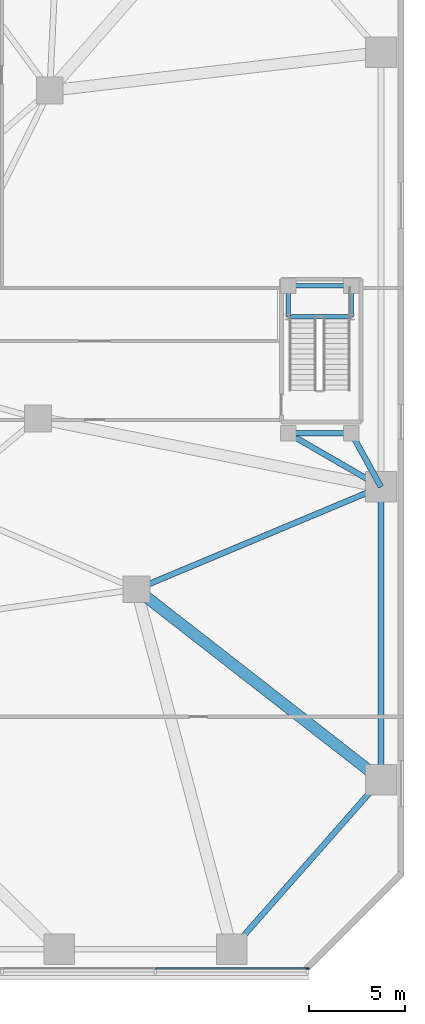
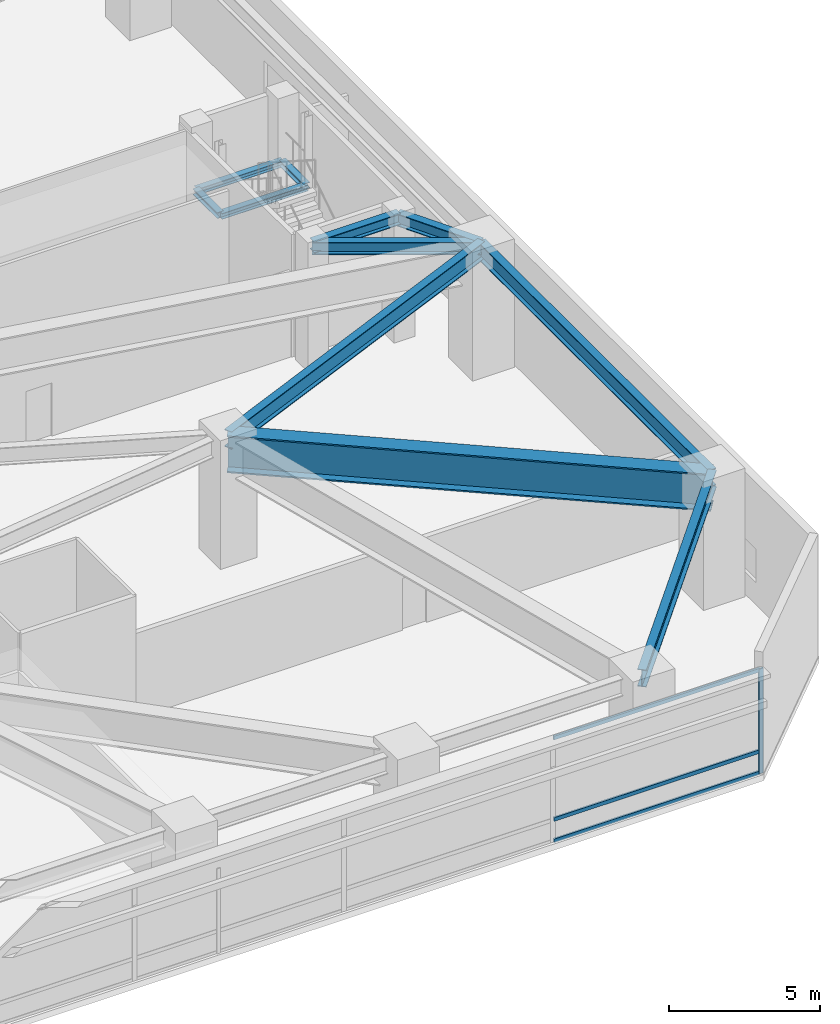
# One storey, part 12 of 27: 11 beams, 4 members, 1 element without a shape of its own.
"""IFC4 building model written with IfcOpenShell, lengths in metres."""

from ifc_helpers import new_model, si_unit, direction, frame, origin, origin_2d, place, context, subcontext, project, spatial, rectangle, i_section, extrude, material, layer, layer_set, material_profile, profile_set, type_object, element, aggregate, save


model = new_model("IFC4")

# Units and contexts
model_context = context("Model", 3, precision=1e-05, world=origin(), true_north=direction((0.0, 1.0)))
body_context = subcontext(model_context, "Body", "Model", "MODEL_VIEW")
ifc_project = project(units=[si_unit("LENGTHUNIT", "METRE"), si_unit("AREAUNIT", "SQUARE_METRE"), si_unit("VOLUMEUNIT", "CUBIC_METRE"), si_unit("PLANEANGLEUNIT", "RADIAN"), si_unit("MASSUNIT", "GRAM", prefix="KILO")], contexts=[model_context])

# Site, building, storey
site_placement = place(None, origin())
site = spatial("IfcSite", under=ifc_project, at=site_placement, CompositionType="ELEMENT")
building_placement = place(site_placement, origin())
building = spatial("IfcBuilding", under=site, at=building_placement, Name="Terralouvre Media Tower", CompositionType="ELEMENT")
storey_placement = place(building_placement, frame((0.0, 0.0, 5.199951171875)))
storey = spatial("IfcBuildingStorey", under=building, at=storey_placement, Name="L01", CompositionType="ELEMENT", Elevation=5.199951171875)

# Curtain wall, members
ifc_material_1 = material(Name="Low-iron laminated double glazing with solar-control coating", Category="glass")
ifc_layer = layer(ifc_material_1, 0.1650390625, Name="Podium Broadcast Gallery Glazing CW-01")
ifc_layer_set = layer_set([ifc_layer], Name="Low-iron laminated double glazing with solar-control coating")
curtain_wall_type = type_object("IfcCurtainWallType", Name="Podium Broadcast Gallery Glazing CW-01", PredefinedType="NOTDEFINED", material=ifc_layer_set)
curtain_wall_placement = place(storey_placement, origin())
curtain_wall = element("IfcCurtainWall", 1, at=curtain_wall_placement, inside=storey, type_object=curtain_wall_type, Name="L01 Podium Curtain Wall F0", PredefinedType="NOTDEFINED")
ifc_material_2 = material(Name="Anodised extruded aluminium 6063-T6", Category="aluminium")
ifc_material_profile_1 = material_profile(ifc_material_2, rectangle(XDim=0.074951171875, YDim=0.14990234375, at=origin_2d()), Name="ALU 75x150")
ifc_profile_set_1 = profile_set([ifc_material_profile_1], Name="Anodised extruded aluminium 6063-T6")
member_type_1 = type_object("IfcMemberType", Name="Curtain-Wall Horizontal Transom TR-150", PredefinedType="USERDEFINED", material=ifc_profile_set_1)
member_1_placement = place(storey_placement, frame((24.03759765625, -24.360107421875, 0.03759765625), z_axis=(1.0, 0.0, 0.0), x_axis=(0.0, 1.0, 0.0)))
member_1 = element("IfcMember", 2, at=member_1_placement, type_object=member_type_1, Name="CW-01 transom 8.1", ObjectType="TRANSOM", PredefinedType="USERDEFINED", context=body_context, shape_type="SweptSolid", body=[
    extrude(rectangle(XDim=0.074951171875, YDim=0.14990234375, at=origin_2d()), origin(), (0.0, 0.0, 1.0), 7.887451171875),
])
member_2_placement = place(storey_placement, frame((24.03759765625, -24.360107421875, 0.900146484375), z_axis=(1.0, 0.0, 0.0), x_axis=(0.0, 1.0, 0.0)))
member_2 = element("IfcMember", 3, at=member_2_placement, type_object=member_type_1, Name="CW-01 transom 8.2", ObjectType="TRANSOM", PredefinedType="USERDEFINED", context=body_context, shape_type="SweptSolid", body=[
    extrude(rectangle(XDim=0.074951171875, YDim=0.14990234375, at=origin_2d()), origin(), (0.0, 0.0, 1.0), 7.887451171875),
])
member_3_placement = place(storey_placement, frame((24.03759765625, -24.360107421875, 4.192626953125), z_axis=(1.0, 0.0, 0.0), x_axis=(0.0, 1.0, 0.0)))
member_3 = element("IfcMember", 4, at=member_3_placement, type_object=member_type_1, Name="CW-01 transom 8.3", ObjectType="TRANSOM", PredefinedType="USERDEFINED", context=body_context, shape_type="SweptSolid", body=[
    extrude(rectangle(XDim=0.074951171875, YDim=0.14990234375, at=origin_2d()), origin(), (0.0, 0.0, 1.0), 7.887451171875),
])
ifc_material_3 = material(Name="Anodised extruded aluminium 6063-T6", Category="aluminium")
ifc_material_profile_2 = material_profile(ifc_material_3, rectangle(XDim=0.074951171875, YDim=0.179931640625, at=origin_2d()), Name="ALU 75x180")
ifc_profile_set_2 = profile_set([ifc_material_profile_2], Name="Anodised extruded aluminium 6063-T6")
member_type_2 = type_object("IfcMemberType", Name="Curtain-Wall Vertical Mullion ML-180", PredefinedType="MULLION", material=ifc_profile_set_2)
member_4_placement = place(storey_placement, frame((31.96240234375, -24.360107421875, 0.0), z_axis=(0.0, 0.0, 1.0), x_axis=(0.0, 1.0, 0.0)))
member_4 = element("IfcMember", 5, at=member_4_placement, type_object=member_type_2, Name="CW-01 mullion 9", PredefinedType="MULLION", context=body_context, shape_type="SweptSolid", body=[
    extrude(rectangle(XDim=0.074951171875, YDim=0.179931640625, at=origin_2d()), origin(), (0.0, 0.0, 1.0), 4.22998046875),
])
aggregate(curtain_wall, [member_4, member_1, member_2, member_3])

# Beams
ifc_material_4 = material(Name="Structural steel S355J2", Category="steel")
ifc_material_profile_3 = material_profile(ifc_material_4, i_section(OverallWidth=0.239990234375, OverallDepth=0.239990234375, WebThickness=0.010009765625, FlangeThickness=0.01708984375, at=origin_2d()), Name="HEB 240")
ifc_profile_set_3 = profile_set([ifc_material_profile_3], Name="Structural steel S355J2")
beam_type_1 = type_object("IfcBeamType", Name="Opening Lintel Beam LN-240H (HEB 240)", PredefinedType="LINTEL", material=ifc_profile_set_3)
for number, where, z_axis, x_axis, name in (
    (6, (30.949951171875, 9.679931640625, 2.280029296875), (0.0, 1.0, 0.0), (-1.0, 0.0, 0.0), "L01 ST-04 Intermediate Landing Support Beam 1W"),
    (7, (34.25, 9.679931640625, 2.280029296875), (0.0, 1.0, 0.0), (-1.0, 0.0, 0.0), "L01 ST-04 Intermediate Landing Support Beam 1E"),
):
    element("IfcBeam", number, at=place(storey_placement, frame(where, z_axis=z_axis, x_axis=x_axis)), inside=storey, type_object=beam_type_1, Name=name, PredefinedType="LINTEL", context=body_context, shape_type="SweptSolid", body=[
        extrude(i_section(OverallWidth=0.239990234375, OverallDepth=0.239990234375, WebThickness=0.010009765625, FlangeThickness=0.01708984375, at=origin_2d()), origin(), (0.0, 0.0, 1.0), 1.6201171875),
    ])
for number, where, z_axis, x_axis, name in (
    (8, (30.949951171875, 9.679931640625, 2.280029296875), (1.0, 0.0, 0.0), (0.0, 1.0, 0.0), "L01 ST-04 Intermediate Landing Support Beam 1S"),
    (9, (30.949951171875, 11.300048828125, 2.280029296875), (1.0, 0.0, 0.0), (0.0, 1.0, 0.0), "L01 ST-04 Intermediate Landing Support Beam 1X"),
):
    element("IfcBeam", number, at=place(storey_placement, frame(where, z_axis=z_axis, x_axis=x_axis)), inside=storey, type_object=beam_type_1, Name=name, PredefinedType="LINTEL", context=body_context, shape_type="SweptSolid", body=[
        extrude(i_section(OverallWidth=0.239990234375, OverallDepth=0.239990234375, WebThickness=0.010009765625, FlangeThickness=0.01708984375, at=origin_2d()), origin(), (0.0, 0.0, 1.0), 3.300048828125),
    ])
ifc_material_5 = material(Name="Structural steel S355J2", Category="steel")
ifc_material_profile_4 = material_profile(ifc_material_5, i_section(OverallWidth=0.300048828125, OverallDepth=0.449951171875, WebThickness=0.013916015625, FlangeThickness=0.02587890625, at=origin_2d()), Name="HEB 450")
ifc_profile_set_4 = profile_set([ifc_material_profile_4], Name="Structural steel S355J2")
beam_type_2 = type_object("IfcBeamType", Name="Primary Floor Girder B-HEB450 (HEB 450)", PredefinedType="BEAM", material=ifc_profile_set_4)
beam_1_placement = place(storey_placement, frame((30.949951171875, 3.60009765625, 4.72509765625), z_axis=(1.0, 0.0, 0.0), x_axis=(0.0, 1.0, 0.0)))
element("IfcBeam", 10, at=beam_1_placement, inside=storey, type_object=beam_type_2, Name="L01 Framing Beam BM-L01-PVST41", PredefinedType="BEAM", context=body_context, shape_type="SweptSolid", body=[
    extrude(i_section(OverallWidth=0.300048828125, OverallDepth=0.449951171875, WebThickness=0.013916015625, FlangeThickness=0.02587890625, at=origin_2d()), origin(), (0.0, 0.0, 1.0), 3.300048828125),
])
ifc_material_6 = material(Name="Structural steel S355J2", Category="steel")
ifc_material_profile_5 = material_profile(ifc_material_6, i_section(OverallWidth=0.300048828125, OverallDepth=0.5, WebThickness=0.014404296875, FlangeThickness=0.028076171875, at=origin_2d()), Name="HEB 500")
ifc_profile_set_5 = profile_set([ifc_material_profile_5], Name="Structural steel S355J2")
beam_type_3 = type_object("IfcBeamType", Name="Primary Floor Girder B-HEB500 (HEB 500)", PredefinedType="BEAM", material=ifc_profile_set_5)
beam_2_placement = place(storey_placement, frame((30.949951171875, 3.60009765625, 4.699951171875), z_axis=(0.866037493094, -0.499979060117, 0.0), x_axis=(0.499979060117, 0.866037493094, 0.0)))
element("IfcBeam", 11, at=beam_2_placement, inside=storey, type_object=beam_type_3, Name="L01 Framing Beam BM-L01-PVTST41", PredefinedType="BEAM", context=body_context, shape_type="SweptSolid", body=[
    extrude(i_section(OverallWidth=0.300048828125, OverallDepth=0.5, WebThickness=0.014404296875, FlangeThickness=0.028076171875, at=origin_2d()), origin(), (0.0, 0.0, 1.0), 5.600341796875),
])
beam_3_placement = place(storey_placement, frame((34.25, 3.60009765625, 4.699951171875), z_axis=(0.484321096397, -0.874890322032, 0.0), x_axis=(0.874890322032, 0.484321096397, 0.0)))
element("IfcBeam", 12, at=beam_3_placement, inside=storey, type_object=beam_type_3, Name="L01 Framing Beam BM-L01-PVTST42", PredefinedType="BEAM", context=body_context, shape_type="SweptSolid", body=[
    extrude(i_section(OverallWidth=0.300048828125, OverallDepth=0.5, WebThickness=0.014404296875, FlangeThickness=0.028076171875, at=origin_2d()), origin(), (0.0, 0.0, 1.0), 3.200439453125),
])
ifc_material_7 = material(Name="Structural steel S460M", Category="steel")
ifc_material_profile_6 = material_profile(ifc_material_7, i_section(OverallWidth=0.300048828125, OverallDepth=0.699951171875, WebThickness=0.01708984375, FlangeThickness=0.031982421875, at=origin_2d()), Name="HEB 700")
ifc_profile_set_6 = profile_set([ifc_material_profile_6], Name="Structural steel S460M")
beam_type_4 = type_object("IfcBeamType", Name="Primary Floor Girder B-HEB700 (HEB 700)", PredefinedType="BEAM", material=ifc_profile_set_6)
beam_4_placement = place(storey_placement, frame((23.02490234375, -4.546630859375, 4.60009765625), z_axis=(0.922468147364, 0.386073201737, 0.0), x_axis=(-0.386073201737, 0.922468147364, 0.0)))
element("IfcBeam", 13, at=beam_4_placement, inside=storey, type_object=beam_type_4, Name="L01 Framing Beam BM-L01-PM21P1", PredefinedType="BEAM", context=body_context, shape_type="SweptSolid", body=[
    extrude(i_section(OverallWidth=0.300048828125, OverallDepth=0.699951171875, WebThickness=0.01708984375, FlangeThickness=0.031982421875, at=origin_2d()), origin(), (0.0, 0.0, 1.0), 13.848876953125),
])
beam_5_placement = place(storey_placement, frame((28.0, -23.35009765625, 4.60009765625), z_axis=(0.661199207896, 0.75021037548, 0.0), x_axis=(-0.75021037548, 0.661199207896, 0.0)))
element("IfcBeam", 14, at=beam_5_placement, inside=storey, type_object=beam_type_4, Name="L01 Framing Beam BM-L01-PR07", PredefinedType="BEAM", context=body_context, shape_type="SweptSolid", body=[
    extrude(i_section(OverallWidth=0.300048828125, OverallDepth=0.699951171875, WebThickness=0.01708984375, FlangeThickness=0.031982421875, at=origin_2d()), origin(), (0.0, 0.0, 1.0), 11.796875),
])
beam_6_placement = place(storey_placement, frame((35.800048828125, -14.5, 4.60009765625), z_axis=(0.0, 1.0, 0.0), x_axis=(-1.0, 0.0, 0.0)))
element("IfcBeam", 15, at=beam_6_placement, inside=storey, type_object=beam_type_4, Name="L01 Framing Beam BM-L01-PR08", PredefinedType="BEAM", context=body_context, shape_type="SweptSolid", body=[
    extrude(i_section(OverallWidth=0.300048828125, OverallDepth=0.699951171875, WebThickness=0.01708984375, FlangeThickness=0.031982421875, at=origin_2d()), origin(), (0.0, 0.0, 1.0), 15.300048828125),
])
ifc_material_8 = material(Name="Structural steel S460M", Category="steel")
ifc_material_profile_7 = material_profile(ifc_material_8, i_section(OverallWidth=0.60009765625, OverallDepth=1.5, WebThickness=0.033935546875, FlangeThickness=0.054931640625, at=origin_2d()), Name="PG 1500x600")
ifc_profile_set_7 = profile_set([ifc_material_profile_7], Name="Structural steel S460M")
beam_type_5 = type_object("IfcBeamType", Name="Primary Floor Girder B-PG1500 (PG 1500x600)", PredefinedType="BEAM", material=ifc_profile_set_7)
beam_7_placement = place(storey_placement, frame((23.02490234375, -4.546630859375, 4.199951171875), z_axis=(0.788838921833, -0.614599996259, 0.0), x_axis=(0.614599996259, 0.788838921833, 0.0)))
element("IfcBeam", 16, at=beam_7_placement, inside=storey, type_object=beam_type_5, Name="L01 Framing Beam BM-L01-RD08", PredefinedType="BEAM", context=body_context, shape_type="SweptSolid", body=[
    extrude(i_section(OverallWidth=0.60009765625, OverallDepth=1.5, WebThickness=0.033935546875, FlangeThickness=0.054931640625, at=origin_2d()), origin(), (0.0, 0.0, 1.0), 16.19482421875),
])

save(model, "model.ifc")
